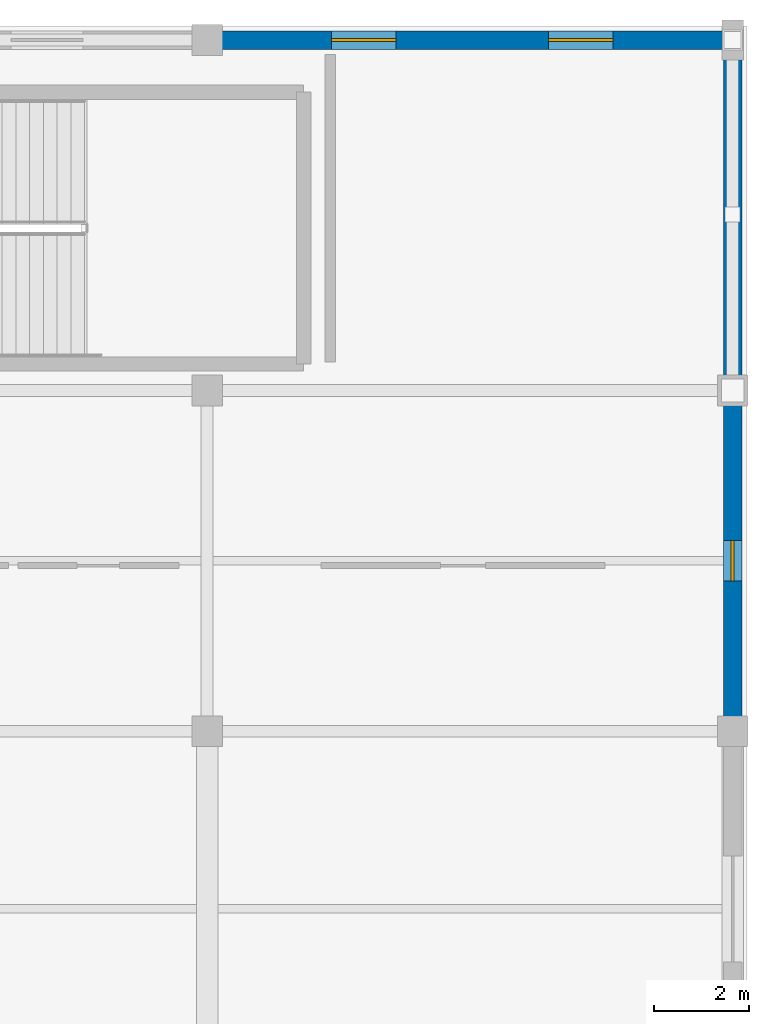
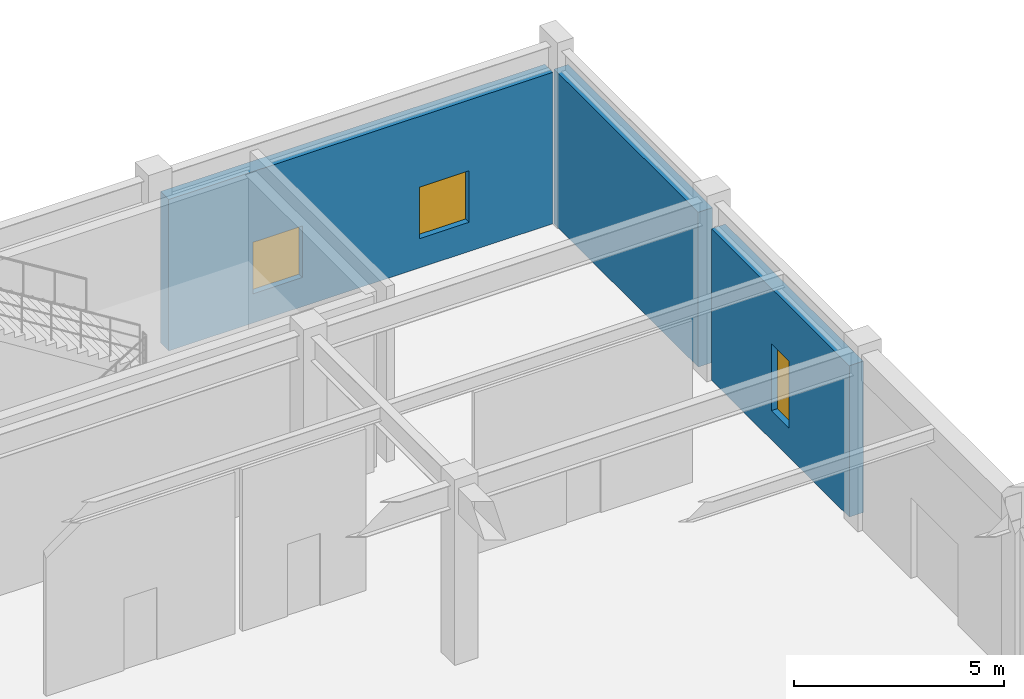
# One storey, part 63 of 93: 3 walls, 3 windows, 3 openings.
"""IFC4 building model written with IfcOpenShell, lengths in metres."""

from ifc_helpers import new_model, si_unit, direction, frame, frame_2d, origin, place, context, subcontext, project, spatial, rectangle, extrude, material, layer, layer_set, type_object, element, fill, save


model = new_model("IFC4")

# Units and contexts
model_context = context("Model", 3, precision=1e-05, world=origin(), true_north=direction((0.0, 1.0)))
body_context = subcontext(model_context, "Body", "Model", "MODEL_VIEW")
ifc_project = project(units=[si_unit("LENGTHUNIT", "METRE"), si_unit("AREAUNIT", "SQUARE_METRE"), si_unit("VOLUMEUNIT", "CUBIC_METRE"), si_unit("PLANEANGLEUNIT", "RADIAN"), si_unit("MASSUNIT", "GRAM", prefix="KILO")], contexts=[model_context])

# Site, building, storey
site_placement = place(None, origin())
site = spatial("IfcSite", under=ifc_project, at=site_placement, CompositionType="ELEMENT")
building_placement = place(site_placement, origin())
building = spatial("IfcBuilding", under=site, at=building_placement, Name="Cinderbank Siding Concert Hall", CompositionType="ELEMENT")
storey_placement = place(building_placement, origin())
storey = spatial("IfcBuildingStorey", under=building, at=storey_placement, Name="L01", CompositionType="ELEMENT", Elevation=0.0)

# Wall, openings, windows
ifc_material_1 = material(Name="Sydney Hawkesbury sandstone ashlar masonry", Category="masonry")
ifc_layer = layer(ifc_material_1, 0.389892578125)
ifc_layer_set = layer_set([ifc_layer], Name="Sydney Hawkesbury sandstone ashlar masonry")
wall_type = type_object("IfcWallType", Name="WL-09 Exterior Wall 390mm", PredefinedType="STANDARD", material=ifc_layer_set)
wall_1_placement = place(storey_placement, frame((162.110107421875, 117.89990234375, 0.0), z_axis=(0.0, 0.0, 1.0), x_axis=(1.0, 0.0, 0.0)))
wall_1 = element("IfcWall", 1, at=wall_1_placement, inside=storey, type_object=wall_type, Name="L01 Facade Wall EW-V3-N5-L01", PredefinedType="STANDARD", context=body_context, shape_type="SweptSolid", body=[
    extrude(rectangle(XDim=10.579833984375, YDim=0.389892578125, at=frame_2d((5.2900390625, 0.0))), origin(), (0.0, 0.0, 1.0), 4.406982421875),
])
opening_1_placement = place(wall_1_placement, frame((2.31494140625, 0.0, 0.85009765625)))
opening_1 = element("IfcOpeningElement", 2, at=opening_1_placement, cuts=wall_1, Name="Opening WN-28", PredefinedType="OPENING", context=body_context, shape_type="SweptSolid", body=[
    extrude(rectangle(XDim=1.360107421875, YDim=1.5, at=frame_2d((0.68017578125, 0.75))), frame((0.0, 0.20703125, 0.0), z_axis=(0.0, -1.0, 0.0), x_axis=(1.0, 0.0, 0.0)), (0.0, 0.0, 1.0), 0.413818359375),
])
opening_2_placement = place(wall_1_placement, frame((6.905029296875, 0.0, 0.85009765625)))
opening_2 = element("IfcOpeningElement", 3, at=opening_2_placement, cuts=wall_1, Name="Opening WN-28", PredefinedType="OPENING", context=body_context, shape_type="SweptSolid", body=[
    extrude(rectangle(XDim=1.360107421875, YDim=1.5, at=frame_2d((0.68017578125, 0.75))), frame((0.0, 0.20703125, 0.0), z_axis=(0.0, -1.0, 0.0), x_axis=(1.0, 0.0, 0.0)), (0.0, 0.0, 1.0), 0.413818359375),
])
ifc_material_2 = material(Name="Double-glazed laminated acoustic glass", Category="glass")
window_type_1 = type_object("IfcWindowType", Name="WN-28 Acoustic Casement Window 1360x1500", PartitioningType="DOUBLE_PANEL_VERTICAL", PredefinedType="WINDOW", material=ifc_material_2)
window_1_placement = place(opening_1_placement, origin())
window_1 = element("IfcWindow", 4, at=window_1_placement, inside=storey, type_object=window_type_1, Name="L01 Facade Window #166", OverallHeight=1.5, OverallWidth=1.360107421875, PartitioningType="DOUBLE_PANEL_VERTICAL", PredefinedType="WINDOW", context=body_context, shape_type="SweptSolid", body=[
    extrude(rectangle(XDim=1.360107421875, YDim=1.5, at=frame_2d((0.68017578125, 0.75))), frame((0.0, 0.030029296875, 0.0), z_axis=(0.0, -1.0, 0.0), x_axis=(1.0, 0.0, 0.0)), (0.0, 0.0, 1.0), 0.06005859375),
])
fill(opening_1, window_1)
window_2_placement = place(opening_2_placement, origin())
window_2 = element("IfcWindow", 5, at=window_2_placement, inside=storey, type_object=window_type_1, Name="L01 Facade Window #167", OverallHeight=1.5, OverallWidth=1.360107421875, PartitioningType="DOUBLE_PANEL_VERTICAL", PredefinedType="WINDOW", context=body_context, shape_type="SweptSolid", body=[
    extrude(rectangle(XDim=1.360107421875, YDim=1.5, at=frame_2d((0.68017578125, 0.75))), frame((0.0, 0.030029296875, 0.0), z_axis=(0.0, -1.0, 0.0), x_axis=(1.0, 0.0, 0.0)), (0.0, 0.0, 1.0), 0.06005859375),
])
fill(opening_2, window_2)

# Wall, opening, window
wall_2_placement = place(storey_placement, frame((172.89990234375, 110.18994140625, 0.0), z_axis=(0.0, 0.0, 1.0), x_axis=(0.0, -1.0, 0.0)))
wall_2 = element("IfcWall", 6, at=wall_2_placement, inside=storey, type_object=wall_type, Name="L01 Facade Wall EW-V3-E3-L01", PredefinedType="STANDARD", context=body_context, shape_type="SweptSolid", body=[
    extrude(rectangle(XDim=6.579833984375, YDim=0.389892578125, at=frame_2d((3.2900390625, 0.0))), origin(), (0.0, 0.0, 1.0), 4.406982421875),
])
opening_3_placement = place(wall_2_placement, frame((2.864990234375, 0.0, 0.85009765625)))
opening_3 = element("IfcOpeningElement", 7, at=opening_3_placement, cuts=wall_2, Name="Opening WN-09", PredefinedType="OPENING", context=body_context, shape_type="SweptSolid", body=[
    extrude(rectangle(XDim=0.85009765625, YDim=1.949951171875, at=frame_2d((0.425048828125, 0.97509765625))), frame((0.0, 0.20703125, 0.0), z_axis=(0.0, -1.0, 0.0), x_axis=(1.0, 0.0, 0.0)), (0.0, 0.0, 1.0), 0.413818359375),
])
window_type_2 = type_object("IfcWindowType", Name="WN-09 Acoustic Casement Window 850x1950", PartitioningType="DOUBLE_PANEL_VERTICAL", PredefinedType="WINDOW", material=ifc_material_2)
window_3_placement = place(opening_3_placement, origin())
window_3 = element("IfcWindow", 8, at=window_3_placement, inside=storey, type_object=window_type_2, Name="L01 Facade Window #177", OverallHeight=1.949951171875, OverallWidth=0.85009765625, PartitioningType="DOUBLE_PANEL_VERTICAL", PredefinedType="WINDOW", context=body_context, shape_type="SweptSolid", body=[
    extrude(rectangle(XDim=0.85009765625, YDim=1.949951171875, at=frame_2d((0.425048828125, 0.97509765625))), frame((0.0, 0.030029296875, 0.0), z_axis=(0.0, -1.0, 0.0), x_axis=(1.0, 0.0, 0.0)), (0.0, 0.0, 1.0), 0.06005859375),
])
fill(opening_3, window_3)

# Wall
wall_3_placement = place(storey_placement, frame((172.89990234375, 117.68994140625, 0.0), z_axis=(0.0, 0.0, 1.0), x_axis=(0.0, -1.0, 0.0)))
element("IfcWall", 9, at=wall_3_placement, inside=storey, type_object=wall_type, Name="L01 Facade Wall EW-V3-E4-L01", PredefinedType="STANDARD", context=body_context, shape_type="SweptSolid", body=[
    extrude(rectangle(XDim=6.8798828125, YDim=0.389892578125, at=frame_2d((3.43994140625, 0.0))), origin(), (0.0, 0.0, 1.0), 4.5048828125),
])

save(model, "model.ifc")
